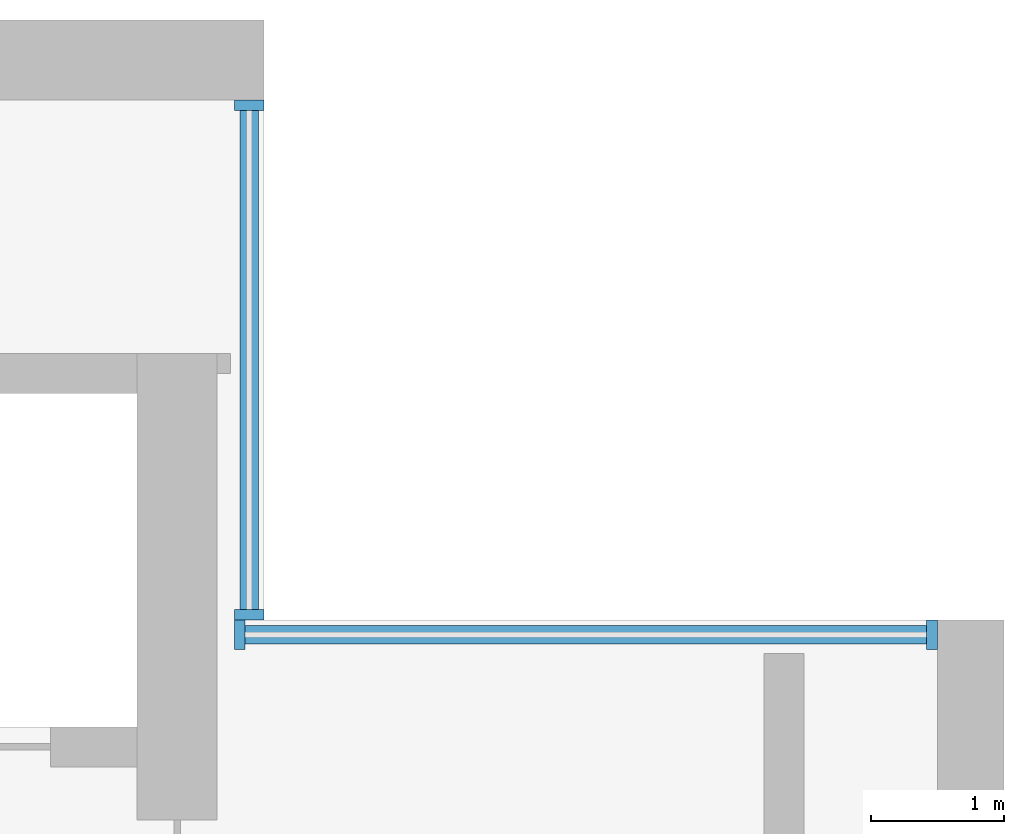
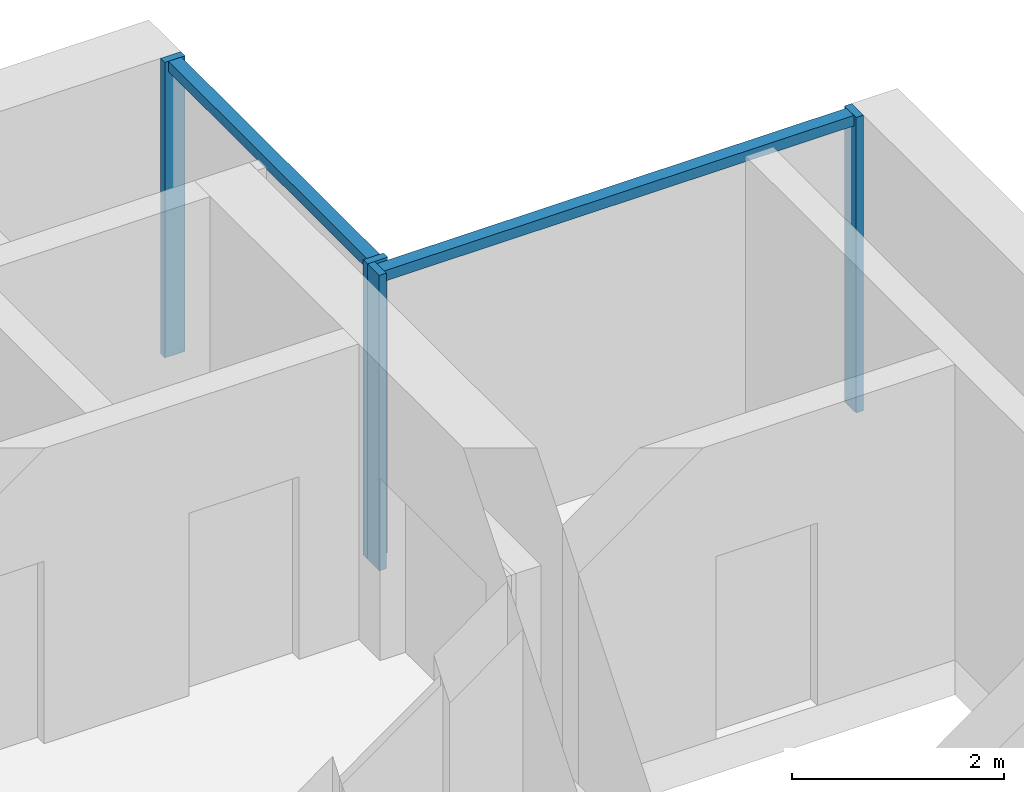
# One storey, part 5 of 14: 6 members, 2 elements without a shape of their own.
"""IFC4 building model written with IfcOpenShell, lengths in metres."""

from ifc_helpers import new_model, si_unit, direction, frame, origin, origin_2d, place, context, subcontext, project, spatial, rectangle, extrude, material, material_profile, profile_set, type_object, element, aggregate, save


model = new_model("IFC4")

# Units and contexts
model_context = context("Model", 3, precision=1e-05, world=origin(), true_north=direction((0.0, 1.0)))
body_context = subcontext(model_context, "Body", "Model", "MODEL_VIEW")
ifc_project = project(units=[si_unit("LENGTHUNIT", "METRE"), si_unit("AREAUNIT", "SQUARE_METRE"), si_unit("VOLUMEUNIT", "CUBIC_METRE"), si_unit("PLANEANGLEUNIT", "RADIAN"), si_unit("MASSUNIT", "GRAM", prefix="KILO")], contexts=[model_context])

# Site, building, storey
site_placement = place(None, origin())
site = spatial("IfcSite", under=ifc_project, at=site_placement, CompositionType="ELEMENT")
building_placement = place(site_placement, origin())
building = spatial("IfcBuilding", under=site, at=building_placement, Name="Calvaro Tower", CompositionType="ELEMENT")
storey_placement = place(building_placement, frame((0.0, 0.0, 239.35009765625)))
storey = spatial("IfcBuildingStorey", under=building, at=storey_placement, Name="L60", CompositionType="ELEMENT", Elevation=239.35009765625)

# Curtain wall, members
ifc_material_1 = material(Name="Anodised aluminium", Category="aluminium")
curtain_wall_type = type_object("IfcCurtainWallType", Name="Executive curtain wall", PredefinedType="NOTDEFINED", material=ifc_material_1)
curtain_wall_1_placement = place(storey_placement, origin())
curtain_wall_1 = element("IfcCurtainWall", 1, at=curtain_wall_1_placement, inside=storey, type_object=curtain_wall_type, Name="CW4 corner curtain wall", PredefinedType="NOTDEFINED")
ifc_material_2 = material(Name="Anodised aluminium", Category="aluminium")
ifc_material_profile_1 = material_profile(ifc_material_2, rectangle(XDim=0.219970703125, YDim=0.080078125, at=origin_2d()), Name="Mullion S4 80 x 220")
ifc_profile_set_1 = profile_set([ifc_material_profile_1], Name="Anodised aluminium")
member_type_1 = type_object("IfcMemberType", Name="Mullion S4 80 x 220", PredefinedType="MULLION", material=ifc_profile_set_1)
member_1_placement = place(storey_placement, frame((60.340087890625, 41.5400390625, 0.0), z_axis=(0.0, 0.0, 1.0), x_axis=(-1.0, 0.0, 0.0)))
member_1 = element("IfcMember", 2, at=member_1_placement, type_object=member_type_1, Name="CW4 mullion 1", PredefinedType="MULLION", context=body_context, shape_type="SweptSolid", body=[
    extrude(rectangle(XDim=0.219970703125, YDim=0.080078125, at=origin_2d()), origin(), (0.0, 0.0, 1.0), 3.39990234375),
])
member_2_placement = place(storey_placement, frame((60.340087890625, 45.360107421875, 0.0), z_axis=(0.0, 0.0, 1.0), x_axis=(-1.0, 0.0, 0.0)))
member_2 = element("IfcMember", 3, at=member_2_placement, type_object=member_type_1, Name="CW4 mullion 2", PredefinedType="MULLION", context=body_context, shape_type="SweptSolid", body=[
    extrude(rectangle(XDim=0.219970703125, YDim=0.080078125, at=origin_2d()), origin(), (0.0, 0.0, 1.0), 3.39990234375),
])

curtain_wall_2_placement = place(storey_placement, origin())
curtain_wall_2 = element("IfcCurtainWall", 4, at=curtain_wall_2_placement, inside=storey, type_object=curtain_wall_type, Name="CW4 corner curtain wall", PredefinedType="NOTDEFINED")
member_3_placement = place(storey_placement, frame((60.27001953125, 41.389892578125, 0.0), z_axis=(0.0, 0.0, 1.0), x_axis=(0.0, 1.0, 0.0)))
member_3 = element("IfcMember", 5, at=member_3_placement, type_object=member_type_1, Name="CW4 mullion 1", PredefinedType="MULLION", context=body_context, shape_type="SweptSolid", body=[
    extrude(rectangle(XDim=0.219970703125, YDim=0.080078125, at=origin_2d()), origin(), (0.0, 0.0, 1.0), 3.39990234375),
])
member_4_placement = place(storey_placement, frame((65.4599609375, 41.389892578125, 0.0), z_axis=(0.0, 0.0, 1.0), x_axis=(0.0, 1.0, 0.0)))
member_4 = element("IfcMember", 6, at=member_4_placement, type_object=member_type_1, Name="CW4 mullion 2", PredefinedType="MULLION", context=body_context, shape_type="SweptSolid", body=[
    extrude(rectangle(XDim=0.219970703125, YDim=0.080078125, at=origin_2d()), origin(), (0.0, 0.0, 1.0), 3.39990234375),
])

# Member
ifc_material_3 = material(Name="Anodised aluminium", Category="aluminium")
ifc_material_profile_2 = material_profile(ifc_material_3, rectangle(XDim=0.139892578125, YDim=0.1201171875, at=origin_2d()), Name="Transom S4 120 x 140")
ifc_profile_set_2 = profile_set([ifc_material_profile_2], Name="Anodised aluminium")
member_type_2 = type_object("IfcMemberType", Name="Transom S4 120 x 140", PredefinedType="USERDEFINED", material=ifc_profile_set_2)
member_5_placement = place(storey_placement, frame((60.340087890625, 41.580078125, 3.33984375), z_axis=(0.0, 1.0, 0.0), x_axis=(-1.0, 0.0, 0.0)))
member_5 = element("IfcMember", 7, at=member_5_placement, type_object=member_type_2, Name="CW4 transom 1.1", ObjectType="TRANSOM", PredefinedType="USERDEFINED", context=body_context, shape_type="SweptSolid", body=[
    extrude(rectangle(XDim=0.139892578125, YDim=0.1201171875, at=origin_2d()), origin(), (0.0, 0.0, 1.0), 3.739990234375),
])

aggregate(curtain_wall_1, [member_1, member_2, member_5])

member_6_placement = place(storey_placement, frame((60.31005859375, 41.389892578125, 3.33984375), z_axis=(1.0, 0.0, 0.0), x_axis=(0.0, 1.0, 0.0)))
member_6 = element("IfcMember", 8, at=member_6_placement, type_object=member_type_2, Name="CW4 transom 1.1", ObjectType="TRANSOM", PredefinedType="USERDEFINED", context=body_context, shape_type="SweptSolid", body=[
    extrude(rectangle(XDim=0.139892578125, YDim=0.1201171875, at=origin_2d()), origin(), (0.0, 0.0, 1.0), 5.10986328125),
])

aggregate(curtain_wall_2, [member_3, member_4, member_6])

save(model, "model.ifc")
